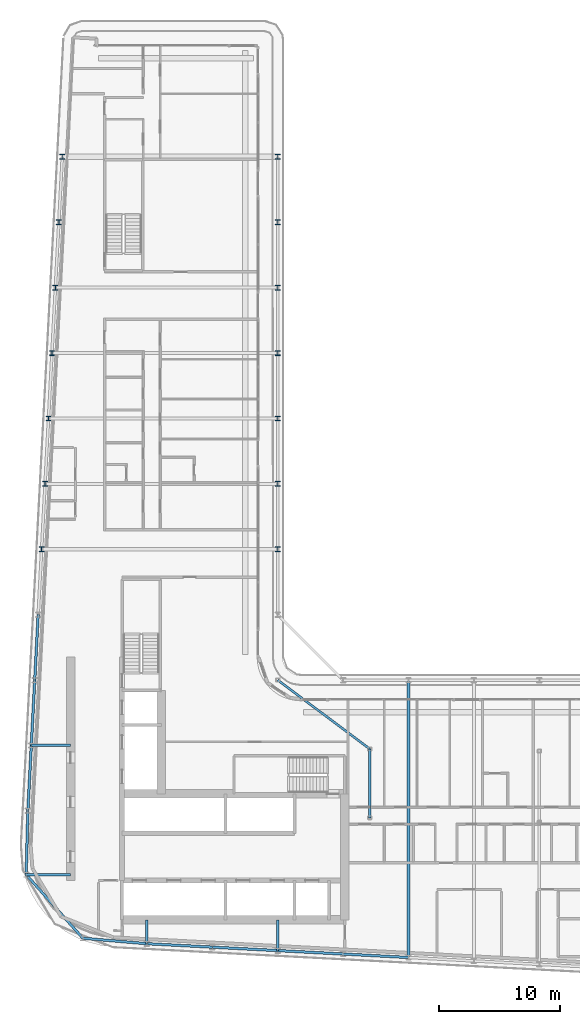
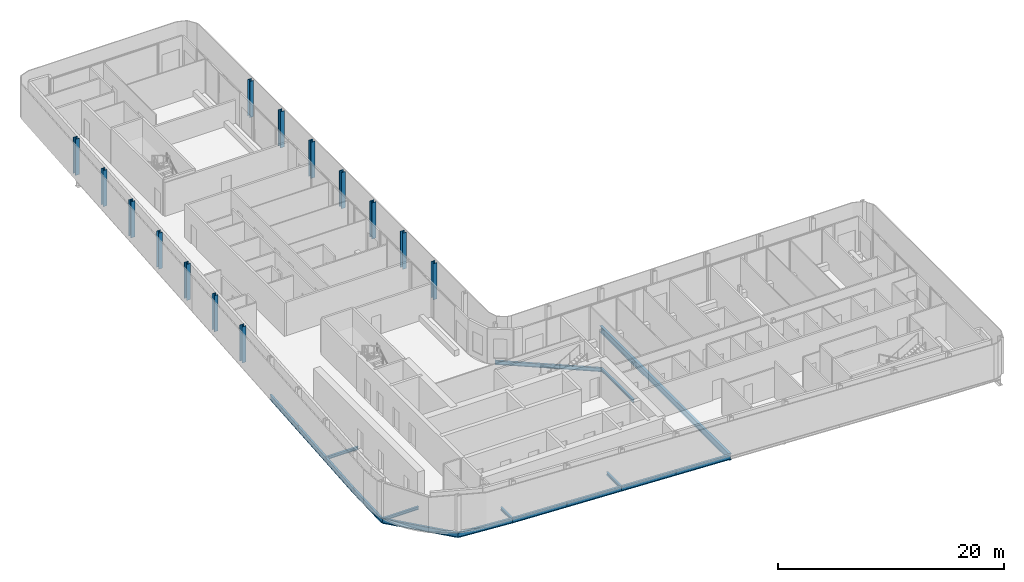
# One storey, part 3 of 23: 17 beams, 14 columns.
"""IFC4 building model written with IfcOpenShell, lengths in metres."""

from ifc_helpers import new_model, si_unit, direction, frame, origin, origin_2d, place, context, subcontext, project, spatial, i_section, extrude, material, material_profile, profile_set, type_object, element, save


model = new_model("IFC4")

# Units and contexts
model_context = context("Model", 3, precision=1e-05, world=origin(), true_north=direction((0.0, 1.0)))
body_context = subcontext(model_context, "Body", "Model", "MODEL_VIEW")
ifc_project = project(units=[si_unit("LENGTHUNIT", "METRE"), si_unit("AREAUNIT", "SQUARE_METRE"), si_unit("VOLUMEUNIT", "CUBIC_METRE"), si_unit("PLANEANGLEUNIT", "RADIAN"), si_unit("MASSUNIT", "GRAM", prefix="KILO")], contexts=[model_context])

# Site, building, storey
site_placement = place(None, origin())
site = spatial("IfcSite", under=ifc_project, at=site_placement, CompositionType="ELEMENT")
building_placement = place(site_placement, origin())
building = spatial("IfcBuilding", under=site, at=building_placement, Name="Kheshtan School and Residences Tower", CompositionType="ELEMENT")
storey_placement = place(building_placement, frame((0.0, 0.0, 239.60009765625)))
storey = spatial("IfcBuildingStorey", under=building, at=storey_placement, Name="L56", CompositionType="ELEMENT", Elevation=239.60009765625)

# Columns
ifc_material = material(Name="Steel ASTM A992 Grade 50", Category="steel")
ifc_material_profile_1 = material_profile(ifc_material, i_section(OverallWidth=0.404052734375, OverallDepth=0.406982421875, WebThickness=0.027099609375, FlangeThickness=0.043701171875, FilletRadius=0.01220703125, at=origin_2d()), Name="W360x347")
ifc_profile_set_1 = profile_set([ifc_material_profile_1], Name="Steel ASTM A992 Grade 50")
column_type = type_object("IfcColumnType", Name="Column C4 W360x347 ASTM A992 Grade 50", PredefinedType="COLUMN", material=ifc_profile_set_1)
for number, where, z_axis, x_axis, name in (
    (1, (28.10595703125, 56.39990234375, 0.0), (0.0, 0.0, 1.0), (1.0, 0.0, 0.0), "Column C080"),
    (2, (47.60009765625, 56.39990234375, 0.0), (0.0, 0.0, 1.0), (1.0, 0.0, 0.0), "Column C081"),
    (3, (28.389892578125, 61.800048828125, 0.0), (0.0, 0.0, 1.0), (1.0, 0.0, 0.0), "Column C082"),
    (4, (47.60009765625, 61.800048828125, 0.0), (0.0, 0.0, 1.0), (1.0, 0.0, 0.0), "Column C083"),
    (5, (28.674072265625, 67.199951171875, 0.0), (0.0, 0.0, 1.0), (1.0, 0.0, 0.0), "Column C084"),
    (6, (47.60009765625, 67.199951171875, 0.0), (0.0, 0.0, 1.0), (1.0, 0.0, 0.0), "Column C085"),
    (7, (28.9580078125, 72.60009765625, 0.0), (0.0, 0.0, 1.0), (1.0, 0.0, 0.0), "Column C086"),
    (8, (47.60009765625, 72.60009765625, 0.0), (0.0, 0.0, 1.0), (1.0, 0.0, 0.0), "Column C087"),
    (9, (29.242919921875, 78.0, 0.0), (0.0, 0.0, 1.0), (1.0, 0.0, 0.0), "Column C088"),
    (10, (47.60009765625, 78.0, 0.0), (0.0, 0.0, 1.0), (1.0, 0.0, 0.0), "Column C089"),
    (11, (29.527099609375, 83.39990234375, 0.0), (0.0, 0.0, 1.0), (1.0, 0.0, 0.0), "Column C090"),
    (12, (47.60009765625, 83.39990234375, 0.0), (0.0, 0.0, 1.0), (1.0, 0.0, 0.0), "Column C091"),
    (13, (29.81103515625, 88.800048828125, 0.0), (0.0, 0.0, 1.0), (1.0, 0.0, 0.0), "Column C098"),
    (14, (47.60009765625, 88.800048828125, 0.0), (0.0, 0.0, 1.0), (1.0, 0.0, 0.0), "Column C099"),
):
    element("IfcColumn", number, at=place(storey_placement, frame(where, z_axis=z_axis, x_axis=x_axis)), inside=storey, type_object=column_type, Name=name, PredefinedType="COLUMN", context=body_context, shape_type="SweptSolid", body=[
        extrude(i_section(OverallWidth=0.404052734375, OverallDepth=0.406982421875, WebThickness=0.027099609375, FlangeThickness=0.043701171875, FilletRadius=0.01220703125, at=origin_2d()), origin(), (0.0, 0.0, 1.0), 3.89990234375),
    ])

# Beams
ifc_material_profile_2 = material_profile(ifc_material, i_section(OverallWidth=0.202880859375, OverallDepth=0.302978515625, WebThickness=0.007568359375, FlangeThickness=0.01318359375, FilletRadius=0.009033203125, at=origin_2d()), Name="W310x60")
ifc_profile_set_2 = profile_set([ifc_material_profile_2], Name="Steel ASTM A992 Grade 50")
beam_type_1 = type_object("IfcBeamType", Name="Beam FB1 W310x60 ASTM A992 Grade 50", PredefinedType="BEAM", material=ifc_profile_set_2)
beam_1_placement = place(storey_placement, frame((47.60009765625, 23.263916015625, -0.301513671875), z_axis=(0.0, 1.0, 0.0), x_axis=(-1.0, 0.0, 0.0)))
element("IfcBeam", 15, at=beam_1_placement, inside=storey, type_object=beam_type_1, Name="Floor beam C020", PredefinedType="BEAM", context=body_context, shape_type="SweptSolid", body=[
    extrude(i_section(OverallWidth=0.202880859375, OverallDepth=0.302978515625, WebThickness=0.007568359375, FlangeThickness=0.01318359375, FilletRadius=0.009033203125, at=origin_2d()), origin(), (0.0, 0.0, 1.0), 2.5361328125),
])
beam_2_placement = place(storey_placement, frame((36.800048828125, 23.83203125, -0.301513671875), z_axis=(0.0, 1.0, 0.0), x_axis=(-1.0, 0.0, 0.0)))
element("IfcBeam", 16, at=beam_2_placement, inside=storey, type_object=beam_type_1, Name="Floor beam C022", PredefinedType="BEAM", context=body_context, shape_type="SweptSolid", body=[
    extrude(i_section(OverallWidth=0.202880859375, OverallDepth=0.302978515625, WebThickness=0.007568359375, FlangeThickness=0.01318359375, FilletRadius=0.009033203125, at=origin_2d()), origin(), (0.0, 0.0, 1.0), 1.968017578125),
])
beam_3_placement = place(storey_placement, frame((26.830078125, 29.5380859375, -0.301513671875), z_axis=(1.0, 0.0, 0.0), x_axis=(0.0, 1.0, 0.0)))
element("IfcBeam", 17, at=beam_3_placement, inside=storey, type_object=beam_type_1, Name="Floor beam C043", PredefinedType="BEAM", context=body_context, shape_type="SweptSolid", body=[
    extrude(i_section(OverallWidth=0.202880859375, OverallDepth=0.302978515625, WebThickness=0.007568359375, FlangeThickness=0.01318359375, FilletRadius=0.009033203125, at=origin_2d()), origin(), (0.0, 0.0, 1.0), 3.669921875),
])
beam_4_placement = place(storey_placement, frame((27.2529296875, 40.199951171875, -0.301513671875), z_axis=(1.0, 0.0, 0.0), x_axis=(0.0, 1.0, 0.0)))
element("IfcBeam", 18, at=beam_4_placement, inside=storey, type_object=beam_type_1, Name="Floor beam C056", PredefinedType="BEAM", context=body_context, shape_type="SweptSolid", body=[
    extrude(i_section(OverallWidth=0.202880859375, OverallDepth=0.302978515625, WebThickness=0.007568359375, FlangeThickness=0.01318359375, FilletRadius=0.009033203125, at=origin_2d()), origin(), (0.0, 0.0, 1.0), 3.2470703125),
])
beam_5_placement = place(storey_placement, frame((55.199951171875, 34.23193359375, -0.301513671875), z_axis=(0.0, 1.0, 0.0), x_axis=(-1.0, 0.0, 0.0)))
element("IfcBeam", 19, at=beam_5_placement, inside=storey, type_object=beam_type_1, Name="Floor beam IC", PredefinedType="BEAM", context=body_context, shape_type="SweptSolid", body=[
    extrude(i_section(OverallWidth=0.202880859375, OverallDepth=0.302978515625, WebThickness=0.007568359375, FlangeThickness=0.01318359375, FilletRadius=0.009033203125, at=origin_2d()), origin(), (0.0, 0.0, 1.0), 5.68408203125),
])
ifc_material_profile_3 = material_profile(ifc_material, i_section(OverallWidth=0.180908203125, OverallDepth=0.4169921875, WebThickness=0.010986328125, FlangeThickness=0.018310546875, FilletRadius=0.012451171875, at=origin_2d()), Name="W410x85")
ifc_profile_set_3 = profile_set([ifc_material_profile_3], Name="Steel ASTM A992 Grade 50")
beam_type_2 = type_object("IfcBeamType", Name="Beam FB3 W410x85 ASTM A992 Grade 50", PredefinedType="BEAM", material=ifc_profile_set_3)
beam_6_placement = place(storey_placement, frame((47.60009765625, 45.60009765625, -0.358642578125), z_axis=(0.800798828004, -0.598933416222, 0.0), x_axis=(0.598933416222, 0.800798828004, 0.0)))
element("IfcBeam", 20, at=beam_6_placement, inside=storey, type_object=beam_type_2, Name="Floor beam IC", PredefinedType="BEAM", context=body_context, shape_type="SweptSolid", body=[
    extrude(i_section(OverallWidth=0.180908203125, OverallDepth=0.4169921875, WebThickness=0.010986328125, FlangeThickness=0.018310546875, FilletRadius=0.012451171875, at=origin_2d()), origin(), (0.0, 0.0, 1.0), 9.490234375),
])
ifc_material_profile_4 = material_profile(ifc_material, i_section(OverallWidth=0.2529296875, OverallDepth=0.677978515625, WebThickness=0.01171875, FlangeThickness=0.016357421875, FilletRadius=0.0146484375, at=origin_2d()), Name="W690x125")
ifc_profile_set_4 = profile_set([ifc_material_profile_4], Name="Steel ASTM A992 Grade 50")
beam_type_3 = type_object("IfcBeamType", Name="Beam FB6 W690x125 ASTM A992 Grade 50", PredefinedType="BEAM", material=ifc_profile_set_4)
beam_7_placement = place(storey_placement, frame((58.39990234375, 22.695068359375, -0.489013671875), z_axis=(0.0, 1.0, 0.0), x_axis=(-1.0, 0.0, 0.0)))
element("IfcBeam", 21, at=beam_7_placement, inside=storey, type_object=beam_type_3, Name="Floor beam C018", PredefinedType="BEAM", context=body_context, shape_type="SweptSolid", body=[
    extrude(i_section(OverallWidth=0.2529296875, OverallDepth=0.677978515625, WebThickness=0.01171875, FlangeThickness=0.016357421875, FilletRadius=0.0146484375, at=origin_2d()), origin(), (0.0, 0.0, 1.0), 22.905029296875),
])
ifc_material_profile_5 = material_profile(ifc_material, i_section(OverallWidth=0.208984375, OverallDepth=0.532958984375, WebThickness=0.01025390625, FlangeThickness=0.015625, FilletRadius=0.013916015625, at=origin_2d()), Name="W530x92")
ifc_profile_set_5 = profile_set([ifc_material_profile_5], Name="Steel ASTM A992 Grade 50")
beam_type_4 = type_object("IfcBeamType", Name="Beam SP3 W530x92 ASTM A992 Grade 50", PredefinedType="BEAM", material=ifc_profile_set_5)
for number, where, z_axis, x_axis, name in (
    (22, (58.39990234375, 22.695068359375, -0.41650390625), (-0.998610961136, 0.052689166816, 0.0), (-0.052689166816, -0.998610961136, 0.0), "Spandrel beam C018-C019"),
    (23, (53.0, 22.97998046875, -0.41650390625), (-0.998620447272, 0.05250906864, 0.0), (-0.05250906864, -0.998620447272, 0.0), "Spandrel beam C019-C020"),
):
    element("IfcBeam", number, at=place(storey_placement, frame(where, z_axis=z_axis, x_axis=x_axis)), inside=storey, type_object=beam_type_4, Name=name, PredefinedType="BEAM", context=body_context, shape_type="SweptSolid", body=[
        extrude(i_section(OverallWidth=0.208984375, OverallDepth=0.532958984375, WebThickness=0.01025390625, FlangeThickness=0.015625, FilletRadius=0.013916015625, at=origin_2d()), origin(), (0.0, 0.0, 1.0), 5.407470703125),
    ])
beam_8_placement = place(storey_placement, frame((47.60009765625, 23.263916015625, -0.41650390625), z_axis=(-0.998618203458, 0.052551724256, 0.0), x_axis=(-0.052551724256, -0.998618203458, 0.0)))
element("IfcBeam", 24, at=beam_8_placement, inside=storey, type_object=beam_type_4, Name="Spandrel beam C020-C021", PredefinedType="BEAM", context=body_context, shape_type="SweptSolid", body=[
    extrude(i_section(OverallWidth=0.208984375, OverallDepth=0.532958984375, WebThickness=0.01025390625, FlangeThickness=0.015625, FilletRadius=0.013916015625, at=origin_2d()), origin(), (0.0, 0.0, 1.0), 5.40771484375),
])
beam_9_placement = place(storey_placement, frame((42.199951171875, 23.548095703125, -0.41650390625), z_axis=(-0.998620447272, 0.05250906864, 0.0), x_axis=(-0.05250906864, -0.998620447272, 0.0)))
element("IfcBeam", 25, at=beam_9_placement, inside=storey, type_object=beam_type_4, Name="Spandrel beam C021-C022", PredefinedType="BEAM", context=body_context, shape_type="SweptSolid", body=[
    extrude(i_section(OverallWidth=0.208984375, OverallDepth=0.532958984375, WebThickness=0.01025390625, FlangeThickness=0.015625, FilletRadius=0.013916015625, at=origin_2d()), origin(), (0.0, 0.0, 1.0), 5.407470703125),
])
beam_10_placement = place(storey_placement, frame((36.800048828125, 23.83203125, -0.41650390625), z_axis=(-0.996386672761, 0.084932904956, 0.0), x_axis=(-0.084932904956, -0.996386672761, 0.0)))
element("IfcBeam", 26, at=beam_10_placement, inside=storey, type_object=beam_type_4, Name="Spandrel beam C022-C030", PredefinedType="BEAM", context=body_context, shape_type="SweptSolid", body=[
    extrude(i_section(OverallWidth=0.208984375, OverallDepth=0.532958984375, WebThickness=0.01025390625, FlangeThickness=0.015625, FilletRadius=0.013916015625, at=origin_2d()), origin(), (0.0, 0.0, 1.0), 5.309326171875),
])
beam_11_placement = place(storey_placement, frame((31.510009765625, 24.282958984375, -0.41650390625), z_axis=(-0.66505480847, 0.746794551219, 0.0), x_axis=(-0.746794551219, -0.66505480847, 0.0)))
element("IfcBeam", 27, at=beam_11_placement, inside=storey, type_object=beam_type_4, Name="Spandrel beam C030-C043", PredefinedType="BEAM", context=body_context, shape_type="SweptSolid", body=[
    extrude(i_section(OverallWidth=0.208984375, OverallDepth=0.532958984375, WebThickness=0.01025390625, FlangeThickness=0.015625, FilletRadius=0.013916015625, at=origin_2d()), origin(), (0.0, 0.0, 1.0), 7.036865234375),
])
beam_12_placement = place(storey_placement, frame((26.830078125, 29.5380859375, -0.41650390625), z_axis=(0.026390842013, 0.999651701073, 0.0), x_axis=(-0.999651701073, 0.026390842013, 0.0)))
element("IfcBeam", 28, at=beam_12_placement, inside=storey, type_object=beam_type_4, Name="Spandrel beam C043-C052", PredefinedType="BEAM", context=body_context, shape_type="SweptSolid", body=[
    extrude(i_section(OverallWidth=0.208984375, OverallDepth=0.532958984375, WebThickness=0.01025390625, FlangeThickness=0.015625, FilletRadius=0.013916015625, at=origin_2d()), origin(), (0.0, 0.0, 1.0), 5.263916015625),
])
beam_13_placement = place(storey_placement, frame((26.968994140625, 34.800048828125, -0.41650390625), z_axis=(0.05250906864, 0.998620447272, 0.0), x_axis=(-0.998620447272, 0.05250906864, 0.0)))
element("IfcBeam", 29, at=beam_13_placement, inside=storey, type_object=beam_type_4, Name="Spandrel beam C052-C056", PredefinedType="BEAM", context=body_context, shape_type="SweptSolid", body=[
    extrude(i_section(OverallWidth=0.208984375, OverallDepth=0.532958984375, WebThickness=0.01025390625, FlangeThickness=0.015625, FilletRadius=0.013916015625, at=origin_2d()), origin(), (0.0, 0.0, 1.0), 5.407470703125),
])
beam_14_placement = place(storey_placement, frame((27.2529296875, 40.199951171875, -0.41650390625), z_axis=(0.052551724256, 0.998618203458, 0.0), x_axis=(-0.998618203458, 0.052551724256, 0.0)))
element("IfcBeam", 30, at=beam_14_placement, inside=storey, type_object=beam_type_4, Name="Spandrel beam C056-C059", PredefinedType="BEAM", context=body_context, shape_type="SweptSolid", body=[
    extrude(i_section(OverallWidth=0.208984375, OverallDepth=0.532958984375, WebThickness=0.01025390625, FlangeThickness=0.015625, FilletRadius=0.013916015625, at=origin_2d()), origin(), (0.0, 0.0, 1.0), 5.40771484375),
])
beam_15_placement = place(storey_placement, frame((27.537109375, 45.60009765625, -0.41650390625), z_axis=(0.052689166816, 0.998610961136, 0.0), x_axis=(-0.998610961136, 0.052689166816, 0.0)))
element("IfcBeam", 31, at=beam_15_placement, inside=storey, type_object=beam_type_4, Name="Spandrel beam C059-C078", PredefinedType="BEAM", context=body_context, shape_type="SweptSolid", body=[
    extrude(i_section(OverallWidth=0.208984375, OverallDepth=0.532958984375, WebThickness=0.01025390625, FlangeThickness=0.015625, FilletRadius=0.013916015625, at=origin_2d()), origin(), (0.0, 0.0, 1.0), 5.407470703125),
])

save(model, "model.ifc")
